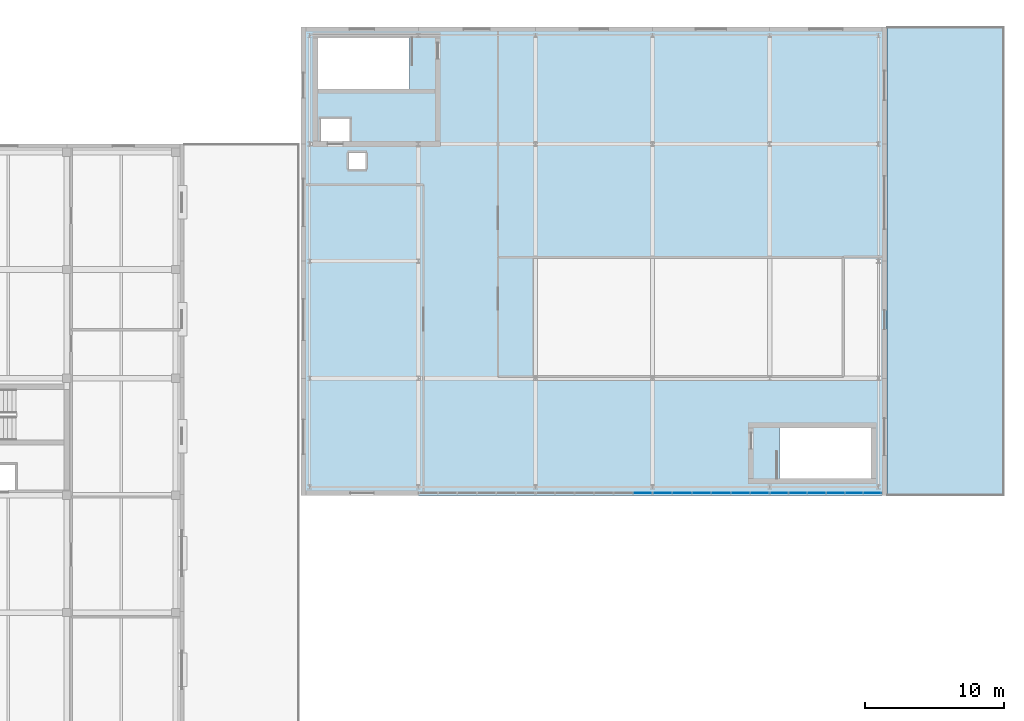
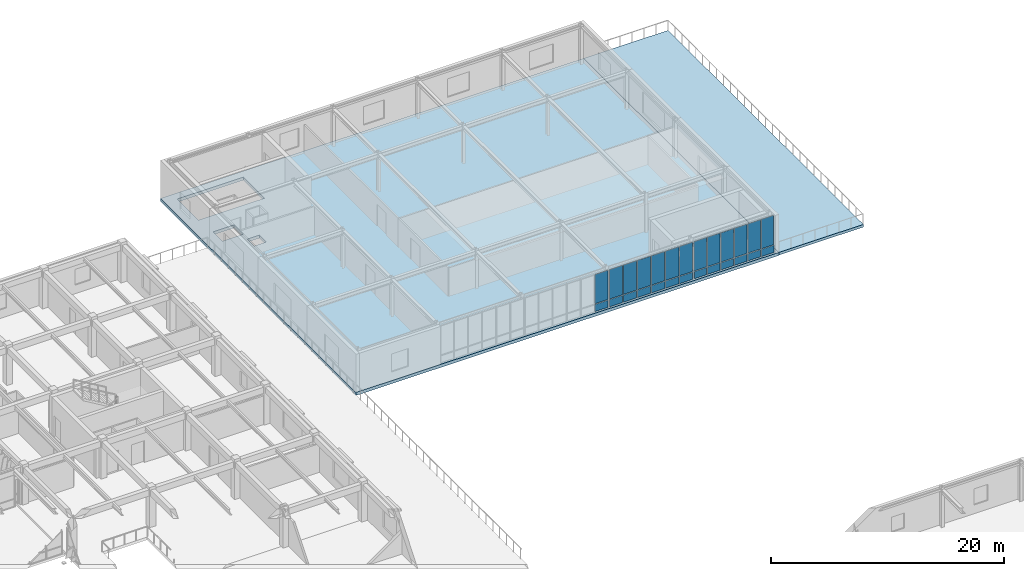
# One storey, part 94 of 127: 26 plates, 2 slabs, 3 elements without a shape of their own.
"""IFC4 building model written with IfcOpenShell, lengths in metres."""

from ifc_helpers import new_model, si_unit, direction, frame, origin, origin_2d, place, context, subcontext, project, spatial, polyline, rectangle, outline, extrude, material, layer, layer_set, type_object, element, aggregate, save


model = new_model("IFC4")

# Units and contexts
model_context = context("Model", 3, precision=1e-05, world=origin(), true_north=direction((0.0, 1.0)))
body_context = subcontext(model_context, "Body", "Model", "MODEL_VIEW")
ifc_project = project(units=[si_unit("LENGTHUNIT", "METRE"), si_unit("AREAUNIT", "SQUARE_METRE"), si_unit("VOLUMEUNIT", "CUBIC_METRE"), si_unit("PLANEANGLEUNIT", "RADIAN"), si_unit("MASSUNIT", "GRAM", prefix="KILO")], contexts=[model_context])

# Site, building, storey
site_placement = place(None, origin())
site = spatial("IfcSite", under=ifc_project, at=site_placement, CompositionType="ELEMENT")
building_placement = place(site_placement, origin())
building = spatial("IfcBuilding", under=site, at=building_placement, Name="Zayran Congress Hotel", CompositionType="ELEMENT")
storey_placement = place(building_placement, frame((0.0, 0.0, 10.800048828125)))
storey = spatial("IfcBuildingStorey", under=building, at=storey_placement, Name="L02", CompositionType="ELEMENT", Elevation=10.800048828125)

# Slabs
ifc_material_1 = material(Name="Concrete C32/40", Category="concrete")
ifc_layer_1 = layer(ifc_material_1, 0.320068359375)
ifc_layer_set_1 = layer_set([ifc_layer_1], Name="Concrete C32/40")
slab_type_1 = type_object("IfcSlabType", Name="SL-PD-320", PredefinedType="FLOOR", material=ifc_layer_set_1)
slab_1_placement = place(storey_placement, frame((0.0, 0.0, -0.320068359375)))
element("IfcSlab", 1, at=slab_1_placement, inside=storey, type_object=slab_type_1, Name="SLB-V2-L02-011", PredefinedType="FLOOR", context=body_context, shape_type="SweptSolid", body=[
    extrude(outline(polyline([(142.800048828125, 84.39990234375), (184.800048828125, 84.39990234375), (184.800048828125, 118.0), (142.800048828125, 118.0), (142.800048828125, 84.39990234375)]), holes=[polyline([(144.0, 113.56005859375), (150.56005859375, 113.56005859375), (150.56005859375, 117.199951171875), (144.0, 117.199951171875), (144.0, 113.56005859375)]), polyline([(144.199951171875, 109.800048828125), (146.300048828125, 109.800048828125), (146.300048828125, 111.39990234375), (144.199951171875, 111.39990234375), (144.199951171875, 109.800048828125)]), polyline([(177.090087890625, 85.60009765625), (183.64990234375, 85.60009765625), (183.64990234375, 89.239990234375), (177.090087890625, 89.239990234375), (177.090087890625, 85.60009765625)]), polyline([(146.199951171875, 107.800048828125), (147.419921875, 107.800048828125), (147.419921875, 108.97998046875), (146.199951171875, 108.97998046875), (146.199951171875, 107.800048828125)])]), origin(), (0.0, 0.0, 1.0), 0.320068359375),
])
ifc_layer_2 = layer(ifc_material_1, 0.280029296875)
ifc_layer_set_2 = layer_set([ifc_layer_2], Name="Concrete C32/40")
slab_type_2 = type_object("IfcSlabType", Name="SL-TR-280", PredefinedType="FLOOR", material=ifc_layer_set_2)
slab_2_placement = place(storey_placement, frame((0.0, 0.0, -0.280029296875)))
element("IfcSlab", 2, at=slab_2_placement, inside=storey, type_object=slab_type_2, Name="V2 L02 Planted Roof Terrace Slab 1", PredefinedType="FLOOR", context=body_context, shape_type="SweptSolid", body=[
    extrude(outline(polyline([(184.800048828125, 84.39990234375), (193.199951171875, 84.39990234375), (193.199951171875, 118.0), (184.800048828125, 118.0), (184.800048828125, 84.39990234375)])), origin(), (0.0, 0.0, 1.0), 0.280029296875),
])

# Curtain wall, plate
ifc_material_2 = material(Name="Anodised aluminium and low-E insulated glass", Category="aluminium")
ifc_layer_3 = layer(ifc_material_2, 0.179931640625)
ifc_layer_set_3 = layer_set([ifc_layer_3], Name="Anodised aluminium and low-E insulated glass")
curtain_wall_type_1 = type_object("IfcCurtainWallType", Name="CW-V2S-L02-CW-V21-8390-4000", PredefinedType="USERDEFINED", material=ifc_layer_set_3)
curtain_wall_1_placement = place(storey_placement, origin())
curtain_wall_1 = element("IfcCurtainWall", 3, at=curtain_wall_1_placement, inside=storey, type_object=curtain_wall_type_1, Name="CW-V2S-L02-2", ObjectType="CURTAIN WALL", PredefinedType="USERDEFINED")
ifc_material_3 = material(Name="Insulated warm bronze aluminium spandrel panel", Category="aluminium")
ifc_layer_4 = layer(ifc_material_3, 0.06005859375)
ifc_layer_set_4 = layer_set([ifc_layer_4], Name="Insulated warm bronze aluminium spandrel panel")
plate_type_1 = type_object("IfcPlateType", Name="CWP-SP-1278-750", PredefinedType="CURTAIN_PANEL", material=ifc_layer_set_4)
plate_1_placement = place(storey_placement, frame((167.27587890625, 84.570068359375, 0.06005859375), z_axis=(0.0, 0.0, 1.0), x_axis=(1.0, 0.0, 0.0)))
plate_1 = element("IfcPlate", 4, at=plate_1_placement, type_object=plate_type_1, Name="CW-V21 Spandrel Panel 6", PredefinedType="CURTAIN_PANEL", context=body_context, shape_type="SweptSolid", body=[
    extrude(rectangle(XDim=1.2783203125, YDim=0.06005859375, at=origin_2d()), origin(), (0.0, 0.0, 1.0), 0.75),
])

# Curtain wall, plates
ifc_layer_5 = layer(ifc_material_2, 0.179931640625)
ifc_layer_set_5 = layer_set([ifc_layer_5], Name="Anodised aluminium and low-E insulated glass")
curtain_wall_type_2 = type_object("IfcCurtainWallType", Name="CW-V2S-L02-CW-V22-8390-4000", PredefinedType="USERDEFINED", material=ifc_layer_set_5)
curtain_wall_2_placement = place(storey_placement, origin())
curtain_wall_2 = element("IfcCurtainWall", 5, at=curtain_wall_2_placement, inside=storey, type_object=curtain_wall_type_2, Name="CW-V2S-L02-3", ObjectType="CURTAIN WALL", PredefinedType="USERDEFINED")
plate_2_placement = place(storey_placement, frame((168.72412109375, 84.570068359375, 0.06005859375), z_axis=(0.0, 0.0, 1.0), x_axis=(1.0, 0.0, 0.0)))
plate_2 = element("IfcPlate", 6, at=plate_2_placement, type_object=plate_type_1, Name="CW-V22 Spandrel Panel 1", PredefinedType="CURTAIN_PANEL", context=body_context, shape_type="SweptSolid", body=[
    extrude(rectangle(XDim=1.2783203125, YDim=0.06005859375, at=origin_2d()), origin(), (0.0, 0.0, 1.0), 0.75),
])
plate_3_placement = place(storey_placement, frame((170.1025390625, 84.570068359375, 0.06005859375), z_axis=(0.0, 0.0, 1.0), x_axis=(1.0, 0.0, 0.0)))
plate_3 = element("IfcPlate", 7, at=plate_3_placement, type_object=plate_type_1, Name="CW-V22 Spandrel Panel 2", PredefinedType="CURTAIN_PANEL", context=body_context, shape_type="SweptSolid", body=[
    extrude(rectangle(XDim=1.318359375, YDim=0.06005859375, at=origin_2d()), origin(), (0.0, 0.0, 1.0), 0.75),
])
plate_4_placement = place(storey_placement, frame((171.500732421875, 84.570068359375, 0.06005859375), z_axis=(0.0, 0.0, 1.0), x_axis=(1.0, 0.0, 0.0)))
plate_4 = element("IfcPlate", 8, at=plate_4_placement, type_object=plate_type_1, Name="CW-V22 Spandrel Panel 3", PredefinedType="CURTAIN_PANEL", context=body_context, shape_type="SweptSolid", body=[
    extrude(rectangle(XDim=1.318359375, YDim=0.06005859375, at=origin_2d()), origin(), (0.0, 0.0, 1.0), 0.75),
])
plate_5_placement = place(storey_placement, frame((172.899169921875, 84.570068359375, 0.06005859375), z_axis=(0.0, 0.0, 1.0), x_axis=(1.0, 0.0, 0.0)))
plate_5 = element("IfcPlate", 9, at=plate_5_placement, type_object=plate_type_1, Name="CW-V22 Spandrel Panel 4", PredefinedType="CURTAIN_PANEL", context=body_context, shape_type="SweptSolid", body=[
    extrude(rectangle(XDim=1.318359375, YDim=0.06005859375, at=origin_2d()), origin(), (0.0, 0.0, 1.0), 0.75),
])
plate_6_placement = place(storey_placement, frame((174.297607421875, 84.570068359375, 0.06005859375), z_axis=(0.0, 0.0, 1.0), x_axis=(1.0, 0.0, 0.0)))
plate_6 = element("IfcPlate", 10, at=plate_6_placement, type_object=plate_type_1, Name="CW-V22 Spandrel Panel 5", PredefinedType="CURTAIN_PANEL", context=body_context, shape_type="SweptSolid", body=[
    extrude(rectangle(XDim=1.318359375, YDim=0.06005859375, at=origin_2d()), origin(), (0.0, 0.0, 1.0), 0.75),
])
plate_7_placement = place(storey_placement, frame((175.67578125, 84.570068359375, 0.06005859375), z_axis=(0.0, 0.0, 1.0), x_axis=(1.0, 0.0, 0.0)))
plate_7 = element("IfcPlate", 11, at=plate_7_placement, type_object=plate_type_1, Name="CW-V22 Spandrel Panel 6", PredefinedType="CURTAIN_PANEL", context=body_context, shape_type="SweptSolid", body=[
    extrude(rectangle(XDim=1.2783203125, YDim=0.06005859375, at=origin_2d()), origin(), (0.0, 0.0, 1.0), 0.75),
])

# Plate
ifc_layer_6 = layer(ifc_material_2, 0.028076171875)
ifc_layer_set_6 = layer_set([ifc_layer_6], Name="Anodised aluminium and low-E insulated glass")
plate_type_2 = type_object("IfcPlateType", Name="CWP-GL-1278-3070", PredefinedType="CURTAIN_PANEL", material=ifc_layer_set_6)
plate_8_placement = place(storey_placement, frame((167.27587890625, 84.570068359375, 0.8701171875), z_axis=(0.0, 0.0, 1.0), x_axis=(1.0, 0.0, 0.0)))
plate_8 = element("IfcPlate", 12, at=plate_8_placement, type_object=plate_type_2, Name="CW-V21 Glazed Panel 6", PredefinedType="CURTAIN_PANEL", context=body_context, shape_type="SweptSolid", body=[
    extrude(rectangle(XDim=1.2783203125, YDim=0.028076171875, at=origin_2d()), origin(), (0.0, 0.0, 1.0), 3.070068359375),
])

aggregate(curtain_wall_1, [plate_1, plate_8])

plate_9_placement = place(storey_placement, frame((168.72412109375, 84.570068359375, 0.8701171875), z_axis=(0.0, 0.0, 1.0), x_axis=(1.0, 0.0, 0.0)))
plate_9 = element("IfcPlate", 13, at=plate_9_placement, type_object=plate_type_2, Name="CW-V22 Glazed Panel 1", PredefinedType="CURTAIN_PANEL", context=body_context, shape_type="SweptSolid", body=[
    extrude(rectangle(XDim=1.2783203125, YDim=0.028076171875, at=origin_2d()), origin(), (0.0, 0.0, 1.0), 3.070068359375),
])

plate_10_placement = place(storey_placement, frame((170.1025390625, 84.570068359375, 0.8701171875), z_axis=(0.0, 0.0, 1.0), x_axis=(1.0, 0.0, 0.0)))
plate_10 = element("IfcPlate", 14, at=plate_10_placement, type_object=plate_type_2, Name="CW-V22 Glazed Panel 2", PredefinedType="CURTAIN_PANEL", context=body_context, shape_type="SweptSolid", body=[
    extrude(rectangle(XDim=1.318359375, YDim=0.028076171875, at=origin_2d()), origin(), (0.0, 0.0, 1.0), 3.070068359375),
])

plate_11_placement = place(storey_placement, frame((171.500732421875, 84.570068359375, 0.8701171875), z_axis=(0.0, 0.0, 1.0), x_axis=(1.0, 0.0, 0.0)))
plate_11 = element("IfcPlate", 15, at=plate_11_placement, type_object=plate_type_2, Name="CW-V22 Glazed Panel 3", PredefinedType="CURTAIN_PANEL", context=body_context, shape_type="SweptSolid", body=[
    extrude(rectangle(XDim=1.318359375, YDim=0.028076171875, at=origin_2d()), origin(), (0.0, 0.0, 1.0), 3.070068359375),
])

plate_12_placement = place(storey_placement, frame((172.899169921875, 84.570068359375, 0.8701171875), z_axis=(0.0, 0.0, 1.0), x_axis=(1.0, 0.0, 0.0)))
plate_12 = element("IfcPlate", 16, at=plate_12_placement, type_object=plate_type_2, Name="CW-V22 Glazed Panel 4", PredefinedType="CURTAIN_PANEL", context=body_context, shape_type="SweptSolid", body=[
    extrude(rectangle(XDim=1.318359375, YDim=0.028076171875, at=origin_2d()), origin(), (0.0, 0.0, 1.0), 3.070068359375),
])

plate_13_placement = place(storey_placement, frame((174.297607421875, 84.570068359375, 0.8701171875), z_axis=(0.0, 0.0, 1.0), x_axis=(1.0, 0.0, 0.0)))
plate_13 = element("IfcPlate", 17, at=plate_13_placement, type_object=plate_type_2, Name="CW-V22 Glazed Panel 5", PredefinedType="CURTAIN_PANEL", context=body_context, shape_type="SweptSolid", body=[
    extrude(rectangle(XDim=1.318359375, YDim=0.028076171875, at=origin_2d()), origin(), (0.0, 0.0, 1.0), 3.070068359375),
])

plate_14_placement = place(storey_placement, frame((175.67578125, 84.570068359375, 0.8701171875), z_axis=(0.0, 0.0, 1.0), x_axis=(1.0, 0.0, 0.0)))
plate_14 = element("IfcPlate", 18, at=plate_14_placement, type_object=plate_type_2, Name="CW-V22 Glazed Panel 6", PredefinedType="CURTAIN_PANEL", context=body_context, shape_type="SweptSolid", body=[
    extrude(rectangle(XDim=1.2783203125, YDim=0.028076171875, at=origin_2d()), origin(), (0.0, 0.0, 1.0), 3.070068359375),
])

aggregate(curtain_wall_2, [plate_2, plate_9, plate_3, plate_10, plate_4, plate_11, plate_5, plate_12, plate_6, plate_13, plate_7, plate_14])

# Curtain wall, plates
ifc_layer_7 = layer(ifc_material_2, 0.179931640625)
ifc_layer_set_7 = layer_set([ifc_layer_7], Name="Anodised aluminium and low-E insulated glass")
curtain_wall_type_3 = type_object("IfcCurtainWallType", Name="CW-V2S-L02-CW-V21-8055-4000", PredefinedType="USERDEFINED", material=ifc_layer_set_7)
curtain_wall_3_placement = place(storey_placement, origin())
curtain_wall_3 = element("IfcCurtainWall", 19, at=curtain_wall_3_placement, inside=storey, type_object=curtain_wall_type_3, Name="CW-V2S-L02-4", ObjectType="CURTAIN WALL", PredefinedType="USERDEFINED")
ifc_layer_8 = layer(ifc_material_2, 0.028076171875)
ifc_layer_set_8 = layer_set([ifc_layer_8], Name="Anodised aluminium and low-E insulated glass")
plate_type_3 = type_object("IfcPlateType", Name="CWP-GL-1222-3070", PredefinedType="CURTAIN_PANEL", material=ifc_layer_set_8)
plate_15_placement = place(storey_placement, frame((177.09619140625, 84.570068359375, 0.8701171875), z_axis=(0.0, 0.0, 1.0), x_axis=(1.0, 0.0, 0.0)))
plate_15 = element("IfcPlate", 20, at=plate_15_placement, type_object=plate_type_3, Name="CW-V21 Glazed Panel 1", PredefinedType="CURTAIN_PANEL", context=body_context, shape_type="SweptSolid", body=[
    extrude(rectangle(XDim=1.222412109375, YDim=0.028076171875, at=origin_2d()), origin(), (0.0, 0.0, 1.0), 3.070068359375),
])
plate_16_placement = place(storey_placement, frame((178.418701171875, 84.570068359375, 0.8701171875), z_axis=(0.0, 0.0, 1.0), x_axis=(1.0, 0.0, 0.0)))
plate_16 = element("IfcPlate", 21, at=plate_16_placement, type_object=plate_type_3, Name="CW-V21 Glazed Panel 2", PredefinedType="CURTAIN_PANEL", context=body_context, shape_type="SweptSolid", body=[
    extrude(rectangle(XDim=1.262451171875, YDim=0.028076171875, at=origin_2d()), origin(), (0.0, 0.0, 1.0), 3.070068359375),
])
plate_17_placement = place(storey_placement, frame((179.76123046875, 84.570068359375, 0.8701171875), z_axis=(0.0, 0.0, 1.0), x_axis=(1.0, 0.0, 0.0)))
plate_17 = element("IfcPlate", 22, at=plate_17_placement, type_object=plate_type_3, Name="CW-V21 Glazed Panel 3", PredefinedType="CURTAIN_PANEL", context=body_context, shape_type="SweptSolid", body=[
    extrude(rectangle(XDim=1.262451171875, YDim=0.028076171875, at=origin_2d()), origin(), (0.0, 0.0, 1.0), 3.070068359375),
])
plate_18_placement = place(storey_placement, frame((181.103759765625, 84.570068359375, 0.8701171875), z_axis=(0.0, 0.0, 1.0), x_axis=(1.0, 0.0, 0.0)))
plate_18 = element("IfcPlate", 23, at=plate_18_placement, type_object=plate_type_3, Name="CW-V21 Glazed Panel 4", PredefinedType="CURTAIN_PANEL", context=body_context, shape_type="SweptSolid", body=[
    extrude(rectangle(XDim=1.262451171875, YDim=0.028076171875, at=origin_2d()), origin(), (0.0, 0.0, 1.0), 3.070068359375),
])
plate_19_placement = place(storey_placement, frame((182.4462890625, 84.570068359375, 0.8701171875), z_axis=(0.0, 0.0, 1.0), x_axis=(1.0, 0.0, 0.0)))
plate_19 = element("IfcPlate", 24, at=plate_19_placement, type_object=plate_type_3, Name="CW-V21 Glazed Panel 5", PredefinedType="CURTAIN_PANEL", context=body_context, shape_type="SweptSolid", body=[
    extrude(rectangle(XDim=1.262451171875, YDim=0.028076171875, at=origin_2d()), origin(), (0.0, 0.0, 1.0), 3.070068359375),
])
plate_20_placement = place(storey_placement, frame((183.768798828125, 84.570068359375, 0.8701171875), z_axis=(0.0, 0.0, 1.0), x_axis=(1.0, 0.0, 0.0)))
plate_20 = element("IfcPlate", 25, at=plate_20_placement, type_object=plate_type_3, Name="CW-V21 Glazed Panel 6", PredefinedType="CURTAIN_PANEL", context=body_context, shape_type="SweptSolid", body=[
    extrude(rectangle(XDim=1.222412109375, YDim=0.028076171875, at=origin_2d()), origin(), (0.0, 0.0, 1.0), 3.070068359375),
])
ifc_layer_9 = layer(ifc_material_3, 0.06005859375)
ifc_layer_set_9 = layer_set([ifc_layer_9], Name="Insulated warm bronze aluminium spandrel panel")
plate_type_4 = type_object("IfcPlateType", Name="CWP-SP-1222-750", PredefinedType="CURTAIN_PANEL", material=ifc_layer_set_9)
plate_21_placement = place(storey_placement, frame((177.09619140625, 84.570068359375, 0.06005859375), z_axis=(0.0, 0.0, 1.0), x_axis=(1.0, 0.0, 0.0)))
plate_21 = element("IfcPlate", 26, at=plate_21_placement, type_object=plate_type_4, Name="CW-V21 Spandrel Panel 1", PredefinedType="CURTAIN_PANEL", context=body_context, shape_type="SweptSolid", body=[
    extrude(rectangle(XDim=1.222412109375, YDim=0.06005859375, at=origin_2d()), origin(), (0.0, 0.0, 1.0), 0.75),
])
plate_22_placement = place(storey_placement, frame((178.418701171875, 84.570068359375, 0.06005859375), z_axis=(0.0, 0.0, 1.0), x_axis=(1.0, 0.0, 0.0)))
plate_22 = element("IfcPlate", 27, at=plate_22_placement, type_object=plate_type_4, Name="CW-V21 Spandrel Panel 2", PredefinedType="CURTAIN_PANEL", context=body_context, shape_type="SweptSolid", body=[
    extrude(rectangle(XDim=1.262451171875, YDim=0.06005859375, at=origin_2d()), origin(), (0.0, 0.0, 1.0), 0.75),
])
plate_23_placement = place(storey_placement, frame((179.76123046875, 84.570068359375, 0.06005859375), z_axis=(0.0, 0.0, 1.0), x_axis=(1.0, 0.0, 0.0)))
plate_23 = element("IfcPlate", 28, at=plate_23_placement, type_object=plate_type_4, Name="CW-V21 Spandrel Panel 3", PredefinedType="CURTAIN_PANEL", context=body_context, shape_type="SweptSolid", body=[
    extrude(rectangle(XDim=1.262451171875, YDim=0.06005859375, at=origin_2d()), origin(), (0.0, 0.0, 1.0), 0.75),
])
plate_24_placement = place(storey_placement, frame((181.103759765625, 84.570068359375, 0.06005859375), z_axis=(0.0, 0.0, 1.0), x_axis=(1.0, 0.0, 0.0)))
plate_24 = element("IfcPlate", 29, at=plate_24_placement, type_object=plate_type_4, Name="CW-V21 Spandrel Panel 4", PredefinedType="CURTAIN_PANEL", context=body_context, shape_type="SweptSolid", body=[
    extrude(rectangle(XDim=1.262451171875, YDim=0.06005859375, at=origin_2d()), origin(), (0.0, 0.0, 1.0), 0.75),
])
plate_25_placement = place(storey_placement, frame((182.4462890625, 84.570068359375, 0.06005859375), z_axis=(0.0, 0.0, 1.0), x_axis=(1.0, 0.0, 0.0)))
plate_25 = element("IfcPlate", 30, at=plate_25_placement, type_object=plate_type_4, Name="CW-V21 Spandrel Panel 5", PredefinedType="CURTAIN_PANEL", context=body_context, shape_type="SweptSolid", body=[
    extrude(rectangle(XDim=1.262451171875, YDim=0.06005859375, at=origin_2d()), origin(), (0.0, 0.0, 1.0), 0.75),
])
plate_26_placement = place(storey_placement, frame((183.768798828125, 84.570068359375, 0.06005859375), z_axis=(0.0, 0.0, 1.0), x_axis=(1.0, 0.0, 0.0)))
plate_26 = element("IfcPlate", 31, at=plate_26_placement, type_object=plate_type_4, Name="CW-V21 Spandrel Panel 6", PredefinedType="CURTAIN_PANEL", context=body_context, shape_type="SweptSolid", body=[
    extrude(rectangle(XDim=1.222412109375, YDim=0.06005859375, at=origin_2d()), origin(), (0.0, 0.0, 1.0), 0.75),
])
aggregate(curtain_wall_3, [plate_21, plate_15, plate_22, plate_16, plate_23, plate_17, plate_24, plate_18, plate_25, plate_19, plate_26, plate_20])

save(model, "model.ifc")
